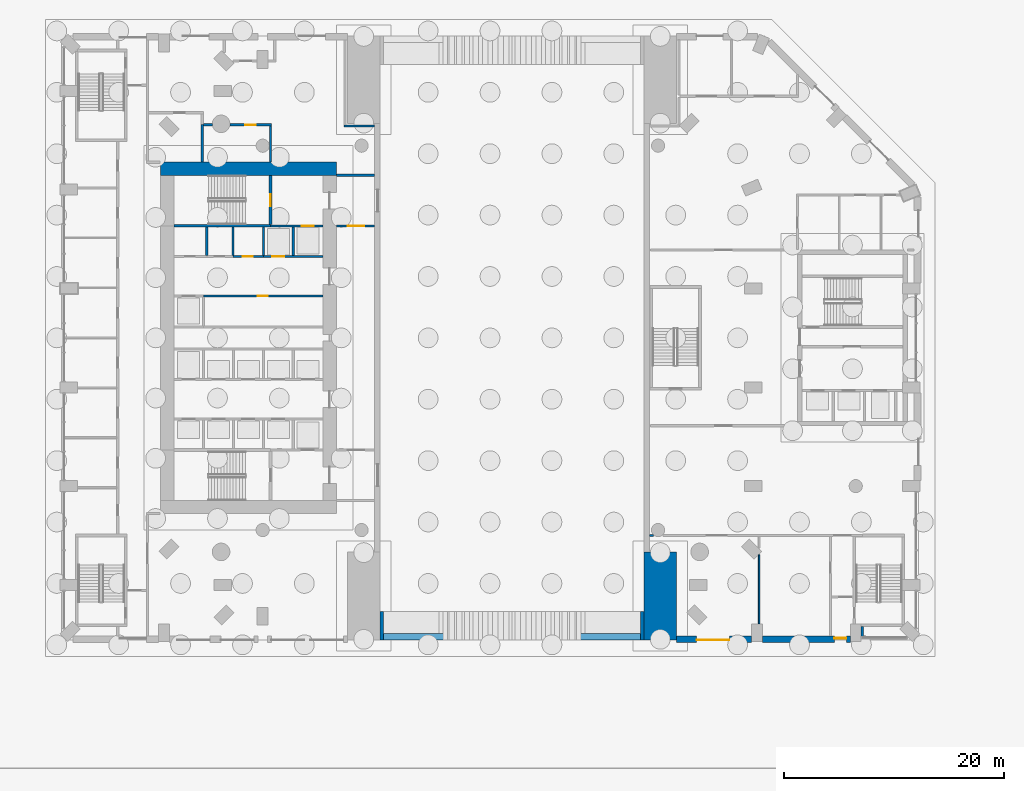
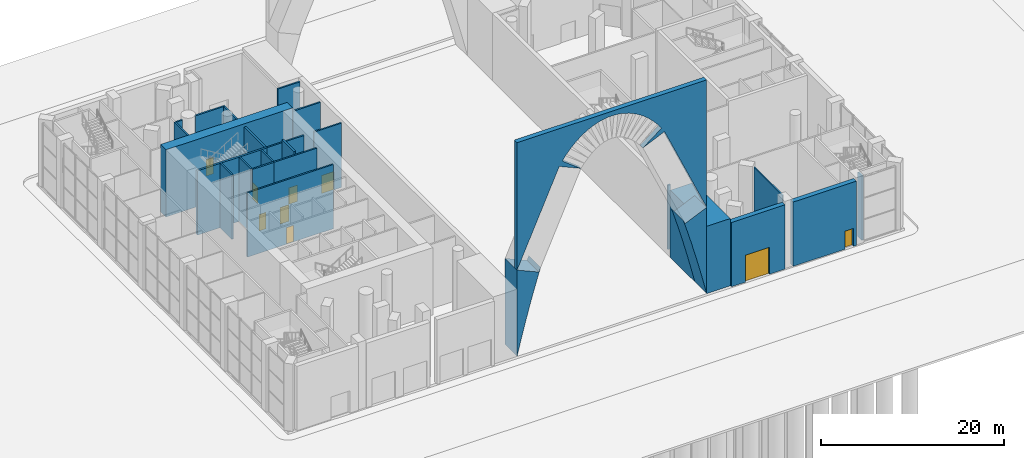
# One storey, part 11 of 25: 27 walls, 9 doors, 9 openings.
"""IFC4 building model written with IfcOpenShell, lengths in metres."""

from ifc_helpers import new_model, si_unit, direction, frame, frame_2d, origin, place, context, subcontext, project, spatial, polyline, rectangle, outline, extrude, material, layer, layer_set, type_object, element, fill, save


model = new_model("IFC4")

# Units and contexts
model_context = context("Model", 3, precision=1e-05, world=origin(), true_north=direction((0.0, 1.0)))
body_context = subcontext(model_context, "Body", "Model", "MODEL_VIEW")
ifc_project = project(units=[si_unit("LENGTHUNIT", "METRE"), si_unit("AREAUNIT", "SQUARE_METRE"), si_unit("VOLUMEUNIT", "CUBIC_METRE"), si_unit("PLANEANGLEUNIT", "RADIAN"), si_unit("MASSUNIT", "GRAM", prefix="KILO")], contexts=[model_context])

# Site, building, storey
site_placement = place(None, origin())
site = spatial("IfcSite", under=ifc_project, at=site_placement, CompositionType="ELEMENT")
building_placement = place(site_placement, origin())
building = spatial("IfcBuilding", under=site, at=building_placement, Name="Cypress Arch Tower", CompositionType="ELEMENT")
storey_placement = place(building_placement, origin())
storey = spatial("IfcBuildingStorey", under=building, at=storey_placement, Name="L00", CompositionType="ELEMENT", Elevation=0.0)

# Walls
ifc_material_1 = material(Name="Concrete C40/50", Category="concrete")
ifc_layer_1 = layer(ifc_material_1, 0.60009765625)
ifc_layer_set_1 = layer_set([ifc_layer_1], Name="Arch spandrel wall 600 Concrete C40/50")
wall_type_1 = type_object("IfcWallType", Name="Arch spandrel wall 600 Concrete C40/50", PredefinedType="SOLIDWALL", material=ifc_layer_set_1)
wall_1_placement = place(storey_placement, frame((-10.0, -27.199951171875, 0.0), z_axis=(0.0, 0.0, 1.0), x_axis=(1.0, 0.0, 0.0)))
element("IfcWall", 1, at=wall_1_placement, inside=storey, type_object=wall_type_1, Name="Gate arch spandrel wall S", PredefinedType="SOLIDWALL", context=body_context, shape_type="SweptSolid", body=[
    extrude(outline(polyline([(24.0, 11.55322265625), (18.6611328125, 23.54345703125), (15.9189453125, 22.32568359375), (18.263916015625, 24.130859375), (17.8818359375, 24.696044921875), (17.248046875, 25.42236328125), (16.574951171875, 26.079345703125), (16.34521484375, 26.27783203125), (15.850341796875, 26.6640625), (15.061279296875, 27.167236328125), (14.19775390625, 27.572509765625), (13.2587890625, 27.853759765625), (12.75732421875, 27.93994140625), (12.26171875, 27.98291015625), (11.73828125, 27.98291015625), (11.24267578125, 27.93994140625), (10.7412109375, 27.853759765625), (9.80224609375, 27.572509765625), (8.938720703125, 27.167236328125), (8.149658203125, 26.6640625), (7.65478515625, 26.27783203125), (7.425048828125, 26.079345703125), (6.751953125, 25.42236328125), (6.1181640625, 24.696044921875), (5.736083984375, 24.130859375), (8.0810546875, 22.32568359375), (5.3388671875, 23.54345703125), (0.0, 11.55322265625), (0.0, 28.60009765625), (24.0, 28.60009765625), (24.0, 11.55322265625)])), frame((0.0, 0.300048828125, 0.0), z_axis=(0.0, -1.0, 0.0), x_axis=(1.0, 0.0, 0.0)), (0.0, 0.0, 1.0), 0.60009765625),
])
ifc_material_2 = material(Name="Concrete C80/95", Category="concrete")
ifc_layer_2 = layer(ifc_material_2, 2.60009765625)
ifc_layer_set_2 = layer_set([ifc_layer_2], Name="Arch springer wall 2600 Concrete C80/95")
wall_type_2 = type_object("IfcWallType", Name="Arch springer wall 2600 Concrete C80/95", PredefinedType="SOLIDWALL", material=ifc_layer_set_2)
wall_2_placement = place(storey_placement, frame((-10.0, -26.199951171875, 0.0), z_axis=(0.0, 0.0, 1.0), x_axis=(1.0, 0.0, 0.0)))
element("IfcWall", 2, at=wall_2_placement, inside=storey, type_object=wall_type_2, Name="Gate arch springer wall SW", PredefinedType="SOLIDWALL", context=body_context, shape_type="SweptSolid", body=[
    extrude(outline(polyline([(2.5, 9.33154296875), (2.0, 7.638916015625), (1.5, 5.859375), (1.0, 3.9931640625), (0.5, 2.0400390625), (0.0, 0.0), (0.0, 11.55322265625), (2.740478515625, 10.3330078125), (2.977294921875, 10.864501953125), (2.5, 9.33154296875)])), frame((0.0, 1.300048828125, 0.0), z_axis=(0.0, -1.0, 0.0), x_axis=(1.0, 0.0, 0.0)), (0.0, 0.0, 1.0), 2.60009765625),
])
wall_3_placement = place(storey_placement, frame((-10.0, -26.199951171875, 0.0), z_axis=(0.0, 0.0, 1.0), x_axis=(1.0, 0.0, 0.0)))
element("IfcWall", 3, at=wall_3_placement, inside=storey, type_object=wall_type_2, Name="Gate arch springer wall SE", PredefinedType="SOLIDWALL", context=body_context, shape_type="SweptSolid", body=[
    extrude(outline(polyline([(24.0, 0.0), (23.5, 2.0400390625), (23.0, 3.9931640625), (22.5, 5.859375), (22.0, 7.638916015625), (21.5, 9.33154296875), (21.022705078125, 10.864501953125), (21.259521484375, 10.3330078125), (24.0, 11.55322265625), (24.0, 0.0)])), frame((0.0, 1.300048828125, 0.0), z_axis=(0.0, -1.0, 0.0), x_axis=(1.0, 0.0, 0.0)), (0.0, 0.0, 1.0), 2.60009765625),
])

# Wall, opening, door
ifc_material_3 = material(Name="Brick (red buff blend) on blockwork backing", Category="masonry")
ifc_layer_3 = layer(ifc_material_3, 0.60009765625)
ifc_layer_set_3 = layer_set([ifc_layer_3], Name="Brick base wall BW600")
wall_type_3 = type_object("IfcWallType", Name="Brick base wall BW600", PredefinedType="ELEMENTEDWALL", material=ifc_layer_set_3)
wall_4_placement = place(storey_placement, frame((17.0, -27.425048828125, 0.0), z_axis=(0.0, 0.0, 1.0), x_axis=(1.0, 0.0, 0.0)))
wall_4 = element("IfcWall", 4, at=wall_4_placement, inside=storey, type_object=wall_type_3, Name="Brick wall L00 P00.2p1", PredefinedType="ELEMENTEDWALL", context=body_context, shape_type="SweptSolid", body=[
    extrude(rectangle(XDim=6.800048828125, YDim=0.60009765625, at=frame_2d((3.39990234375, 0.0))), origin(), (0.0, 0.0, 1.0), 8.60009765625),
])
opening_1_placement = place(wall_4_placement, frame((1.800048828125, 0.0, 0.0)))
opening_1 = element("IfcOpeningElement", 5, at=opening_1_placement, cuts=wall_4, Name="Opening DL3000", PredefinedType="OPENING", context=body_context, shape_type="SweptSolid", body=[
    extrude(rectangle(XDim=3.0, YDim=3.60009765625, at=frame_2d((1.5, 1.800048828125))), frame((0.0, 0.31005859375, 0.0), z_axis=(0.0, -1.0, 0.0), x_axis=(1.0, 0.0, 0.0)), (0.0, 0.0, 1.0), 0.6201171875),
])
ifc_material_4 = material(Name="Insulated steel sectional door, powder coated", Category="steel")
door_type_1 = type_object("IfcDoorType", Name="Loading dock door sectional 3000x3600", OperationType="ROLLINGUP", PredefinedType="DOOR", material=ifc_material_4)
door_1_placement = place(opening_1_placement, origin())
door_1 = element("IfcDoor", 6, at=door_1_placement, inside=storey, type_object=door_type_1, Name="Exterior door L00 P00.2p1.1", OperationType="ROLLINGUP", OverallHeight=3.60009765625, OverallWidth=3.0, PredefinedType="DOOR", context=body_context, shape_type="SweptSolid", body=[
    extrude(rectangle(XDim=3.0, YDim=3.60009765625, at=frame_2d((1.5, 1.800048828125))), frame((0.0, -0.0498046875, 0.0), z_axis=(0.0, -1.0, 0.0), x_axis=(1.0, 0.0, 0.0)), (0.0, 0.0, 1.0), 0.050048828125),
])
fill(opening_1, door_1)

wall_5_placement = place(storey_placement, frame((32.800048828125, -27.425048828125, 0.0), z_axis=(0.0, 0.0, 1.0), x_axis=(-1.0, 0.0, 0.0)))
wall_5 = element("IfcWall", 7, at=wall_5_placement, inside=storey, type_object=wall_type_3, Name="Brick wall L00 P00.3", PredefinedType="ELEMENTEDWALL", context=body_context, shape_type="SweptSolid", body=[
    extrude(rectangle(XDim=8.0, YDim=0.60009765625, at=frame_2d((4.0, 0.0))), origin(), (0.0, 0.0, 1.0), 8.60009765625),
])
opening_2_placement = place(wall_5_placement, frame((0.35009765625, 0.0, 0.0)))
opening_2 = element("IfcOpeningElement", 8, at=opening_2_placement, cuts=wall_5, Name="Opening DX1100", PredefinedType="OPENING", context=body_context, shape_type="SweptSolid", body=[
    extrude(rectangle(XDim=1.10009765625, YDim=2.39990234375, at=frame_2d((0.550048828125, 1.199951171875))), frame((0.0, 0.31005859375, 0.0), z_axis=(0.0, -1.0, 0.0), x_axis=(1.0, 0.0, 0.0)), (0.0, 0.0, 1.0), 0.6201171875),
])
ifc_material_5 = material(Name="Steel, powder coated, glazed vision panel", Category="steel")
door_type_2 = type_object("IfcDoorType", Name="Exit door single 1100x2400", OperationType="SINGLE_SWING_LEFT", PredefinedType="DOOR", material=ifc_material_5)
door_2_placement = place(opening_2_placement, origin())
door_2 = element("IfcDoor", 9, at=door_2_placement, inside=storey, type_object=door_type_2, Name="Exterior door L00 P00.3.1", OperationType="SINGLE_SWING_LEFT", OverallHeight=2.39990234375, OverallWidth=1.10009765625, PredefinedType="DOOR", context=body_context, shape_type="SweptSolid", body=[
    extrude(rectangle(XDim=1.10009765625, YDim=2.39990234375, at=frame_2d((0.550048828125, 1.199951171875))), frame((0.0, -0.0498046875, 0.0), z_axis=(0.0, -1.0, 0.0), x_axis=(1.0, 0.0, 0.0)), (0.0, 0.0, 1.0), 0.050048828125),
])
fill(opening_2, door_2)

# Wall
ifc_material_6 = material(Name="Concrete C80/95", Category="concrete")
ifc_layer_4 = layer(ifc_material_6, 1.199951171875)
ifc_layer_set_4 = layer_set([ifc_layer_4], Name="Core wall CW1200 C80/95")
wall_type_4 = type_object("IfcWallType", Name="Core wall CW1200 C80/95", PredefinedType="SHEAR", material=ifc_layer_set_4)
wall_6_placement = place(storey_placement, frame((-30.0, 15.39990234375, 0.0), z_axis=(0.0, 0.0, 1.0), x_axis=(1.0, 0.0, 0.0)))
element("IfcWall", 10, at=wall_6_placement, inside=storey, type_object=wall_type_4, Name="Core wall", PredefinedType="SHEAR", context=body_context, shape_type="SweptSolid", body=[
    extrude(rectangle(XDim=16.0, YDim=1.199951171875, at=frame_2d((8.0, 0.0))), origin(), (0.0, 0.0, 1.0), 9.0),
])

# Wall, opening, door
ifc_material_7 = material(Name="Concrete blockwork, plastered, rated", Category="masonry")
ifc_layer_5 = layer(ifc_material_7, 0.199951171875)
ifc_layer_set_5 = layer_set([ifc_layer_5], Name="Corridor wall FW200")
wall_type_5 = type_object("IfcWallType", Name="Corridor wall FW200", PredefinedType="PARTITIONING", material=ifc_layer_set_5)
wall_7_placement = place(storey_placement, frame((-23.419921875, 7.39990234375, 0.0), z_axis=(0.0, 0.0, 1.0), x_axis=(1.0, 0.0, 0.0)))
wall_7 = element("IfcWall", 11, at=wall_7_placement, inside=storey, type_object=wall_type_5, Name="Corridor wall", PredefinedType="PARTITIONING", context=body_context, shape_type="SweptSolid", body=[
    extrude(rectangle(XDim=2.780029296875, YDim=0.199951171875, at=frame_2d((1.39013671875, 0.0))), origin(), (0.0, 0.0, 1.0), 8.597900390625),
])
opening_3_placement = place(wall_7_placement, frame((0.89990234375, 0.0, 0.0)))
opening_3 = element("IfcOpeningElement", 12, at=opening_3_placement, cuts=wall_7, Name="Opening D05", PredefinedType="OPENING", context=body_context, shape_type="SweptSolid", body=[
    extrude(rectangle(XDim=0.89990234375, YDim=2.199951171875, at=frame_2d((0.449951171875, 1.10009765625))), frame((0.0, 0.10986328125, 0.0), z_axis=(0.0, -1.0, 0.0), x_axis=(1.0, 0.0, 0.0)), (0.0, 0.0, 1.0), 0.219970703125),
])
ifc_material_8 = material(Name="Timber flush door", Category="wood")
door_type_3 = type_object("IfcDoorType", Name="Service door D05 900x2200", OperationType="SINGLE_SWING_LEFT", PredefinedType="DOOR", material=ifc_material_8)
door_3_placement = place(opening_3_placement, origin())
door_3 = element("IfcDoor", 13, at=door_3_placement, inside=storey, type_object=door_type_3, Name="Service door", OperationType="SINGLE_SWING_LEFT", OverallHeight=2.199951171875, OverallWidth=0.89990234375, PredefinedType="DOOR", context=body_context, shape_type="SweptSolid", body=[
    extrude(rectangle(XDim=0.89990234375, YDim=2.199951171875, at=frame_2d((0.449951171875, 1.10009765625))), frame((0.0, 0.02490234375, 0.0), z_axis=(0.0, -1.0, 0.0), x_axis=(1.0, 0.0, 0.0)), (0.0, 0.0, 1.0), 0.050048828125),
])
fill(opening_3, door_3)

wall_8_placement = place(storey_placement, frame((-13.969970703125, 10.199951171875, 0.0), z_axis=(0.0, 0.0, 1.0), x_axis=(1.0, 0.0, 0.0)))
wall_8 = element("IfcWall", 14, at=wall_8_placement, inside=storey, type_object=wall_type_5, Name="Corridor wall", PredefinedType="PARTITIONING", context=body_context, shape_type="SweptSolid", body=[
    extrude(rectangle(XDim=3.469970703125, YDim=0.199951171875, at=frame_2d((1.73486328125, 0.0))), origin(), (0.0, 0.0, 1.0), 8.597900390625),
])
opening_4_placement = place(wall_8_placement, frame((1.0, 0.0, 0.0)))
opening_4 = element("IfcOpeningElement", 15, at=opening_4_placement, cuts=wall_8, Name="Opening D07", PredefinedType="OPENING", context=body_context, shape_type="SweptSolid", body=[
    extrude(rectangle(XDim=1.5, YDim=2.39990234375, at=frame_2d((0.75, 1.199951171875))), frame((0.0, 0.10986328125, 0.0), z_axis=(0.0, -1.0, 0.0), x_axis=(1.0, 0.0, 0.0)), (0.0, 0.0, 1.0), 0.219970703125),
])
ifc_material_9 = material(Name="Steel framed glazed door, fire resisting", Category="steel")
door_type_4 = type_object("IfcDoorType", Name="Lobby door D07 1500x2400", OperationType="DOUBLE_DOOR_SINGLE_SWING", PredefinedType="DOOR", material=ifc_material_9)
door_4_placement = place(opening_4_placement, origin())
door_4 = element("IfcDoor", 16, at=door_4_placement, inside=storey, type_object=door_type_4, Name="Lobby door", OperationType="DOUBLE_DOOR_SINGLE_SWING", OverallHeight=2.39990234375, OverallWidth=1.5, PredefinedType="DOOR", context=body_context, shape_type="SweptSolid", body=[
    extrude(rectangle(XDim=1.5, YDim=2.39990234375, at=frame_2d((0.75, 1.199951171875))), frame((0.0, 0.02490234375, 0.0), z_axis=(0.0, -1.0, 0.0), x_axis=(1.0, 0.0, 0.0)), (0.0, 0.0, 1.0), 0.050048828125),
])
fill(opening_4, door_4)

# Walls
wall_9_placement = place(storey_placement, frame((-13.969970703125, 14.800048828125, 0.0), z_axis=(0.0, 0.0, 1.0), x_axis=(1.0, 0.0, 0.0)))
element("IfcWall", 17, at=wall_9_placement, inside=storey, type_object=wall_type_5, Name="Corridor wall", PredefinedType="PARTITIONING", context=body_context, shape_type="SweptSolid", body=[
    extrude(rectangle(XDim=3.469970703125, YDim=0.199951171875, at=frame_2d((1.73486328125, 0.0))), origin(), (0.0, 0.0, 1.0), 8.597900390625),
])
wall_10_placement = place(storey_placement, frame((-13.299072265625, 19.300048828125, 0.0), z_axis=(0.0, 0.0, 1.0), x_axis=(1.0, 0.0, 0.0)))
element("IfcWall", 18, at=wall_10_placement, inside=storey, type_object=wall_type_5, Name="Corridor wall", PredefinedType="PARTITIONING", context=body_context, shape_type="SweptSolid", body=[
    extrude(rectangle(XDim=2.799072265625, YDim=0.199951171875, at=frame_2d((1.3994140625, 0.0))), origin(), (0.0, 0.0, 1.0), 8.597900390625),
])
wall_11_placement = place(storey_placement, frame((14.5, -18.0048828125, 0.0), z_axis=(0.0, 0.0, 1.0), x_axis=(1.0, 0.0, 0.0)))
element("IfcWall", 19, at=wall_11_placement, inside=storey, type_object=wall_type_5, Name="Corridor wall", PredefinedType="PARTITIONING", context=body_context, shape_type="SweptSolid", body=[
    extrude(rectangle(XDim=0.3681640625, YDim=0.199951171875, at=frame_2d((0.18408203125, 0.0))), origin(), (0.0, 0.0, 1.0), 8.597900390625),
])
wall_12_placement = place(storey_placement, frame((33.89990234375, -27.199951171875, 0.0), z_axis=(0.0, 0.0, 1.0), x_axis=(0.0, 1.0, 0.0)))
element("IfcWall", 20, at=wall_12_placement, inside=storey, type_object=wall_type_5, Name="Corridor wall", PredefinedType="PARTITIONING", context=body_context, shape_type="SweptSolid", body=[
    extrude(rectangle(XDim=0.89990234375, YDim=0.199951171875, at=frame_2d((0.449951171875, 0.0))), origin(), (0.0, 0.0, 1.0), 8.597900390625),
])
ifc_material_10 = material(Name="Blockwork, plastered both sides", Category="masonry")
ifc_layer_6 = layer(ifc_material_10, 0.14990234375)
ifc_layer_set_6 = layer_set([ifc_layer_6], Name="Partition PW150")
wall_type_6 = type_object("IfcWallType", Name="Partition PW150", PredefinedType="PARTITIONING", material=ifc_layer_set_6)
wall_13_placement = place(storey_placement, frame((24.5, -26.050048828125, 0.0), z_axis=(0.0, 0.0, 1.0), x_axis=(0.0, 1.0, 0.0)))
element("IfcWall", 21, at=wall_13_placement, inside=storey, type_object=wall_type_6, Name="Partition", PredefinedType="PARTITIONING", context=body_context, shape_type="SweptSolid", body=[
    extrude(rectangle(XDim=6.297119140625, YDim=0.14990234375, at=frame_2d((3.1484375, 0.0))), origin(), (0.0, 0.0, 1.0), 8.597900390625),
])
ifc_material_11 = material(Name="Concrete C80/95", Category="concrete")
ifc_layer_7 = layer(ifc_material_11, 3.0)
ifc_layer_set_7 = layer_set([ifc_layer_7], Name="Pier wall 3000 Concrete C80/95")
wall_type_7 = type_object("IfcWallType", Name="Pier wall 3000 Concrete C80/95", PredefinedType="SOLIDWALL", material=ifc_layer_set_7)
wall_14_placement = place(storey_placement, frame((15.5, -27.5, 0.0), z_axis=(0.0, 0.0, 1.0), x_axis=(0.0, 1.0, 0.0)))
element("IfcWall", 22, at=wall_14_placement, inside=storey, type_object=wall_type_7, Name="Gate pier wall PW-ES L00", PredefinedType="SOLIDWALL", context=body_context, shape_type="SweptSolid", body=[
    extrude(rectangle(XDim=8.0, YDim=3.0, at=frame_2d((4.0, 0.0))), origin(), (0.0, 0.0, 1.0), 9.0),
])
ifc_material_12 = material(Name="Reinforced blockwork, plastered, rated", Category="masonry")
ifc_layer_8 = layer(ifc_material_12, 0.199951171875)
ifc_layer_set_8 = layer_set([ifc_layer_8], Name="Plant and riser wall PL200")
wall_type_8 = type_object("IfcWallType", Name="Plant and riser wall PL200", PredefinedType="PARTITIONING", material=ifc_layer_set_8)
wall_15_placement = place(storey_placement, frame((-26.199951171875, 16.030029296875, 0.0), z_axis=(0.0, 0.0, 1.0), x_axis=(0.0, 1.0, 0.0)))
element("IfcWall", 23, at=wall_15_placement, inside=storey, type_object=wall_type_8, Name="Plant and riser wall", PredefinedType="PARTITIONING", context=body_context, shape_type="SweptSolid", body=[
    extrude(rectangle(XDim=3.389892578125, YDim=0.199951171875, at=frame_2d((1.69482421875, 0.0))), origin(), (0.0, 0.0, 1.0), 8.597900390625),
])
wall_16_placement = place(storey_placement, frame((-26.10009765625, 19.39990234375, 0.0), z_axis=(0.0, 0.0, 1.0), x_axis=(1.0, 0.0, 0.0)))
element("IfcWall", 24, at=wall_16_placement, inside=storey, type_object=wall_type_8, Name="Plant and riser wall", PredefinedType="PARTITIONING", context=body_context, shape_type="SweptSolid", body=[
    extrude(rectangle(XDim=0.810791015625, YDim=0.199951171875, at=frame_2d((0.4052734375, 0.0))), origin(), (0.0, 0.0, 1.0), 8.597900390625),
])

# Wall, opening, door
wall_17_placement = place(storey_placement, frame((-23.6865234375, 19.39990234375, 0.0), z_axis=(0.0, 0.0, 1.0), x_axis=(1.0, 0.0, 0.0)))
wall_17 = element("IfcWall", 25, at=wall_17_placement, inside=storey, type_object=wall_type_8, Name="Plant and riser wall", PredefinedType="PARTITIONING", context=body_context, shape_type="SweptSolid", body=[
    extrude(rectangle(XDim=3.78662109375, YDim=0.199951171875, at=frame_2d((1.893310546875, 0.0))), origin(), (0.0, 0.0, 1.0), 8.597900390625),
])
opening_5_placement = place(wall_17_placement, frame((1.39990234375, 0.0, 0.0)))
opening_5 = element("IfcOpeningElement", 26, at=opening_5_placement, cuts=wall_17, Name="Opening D13", PredefinedType="OPENING", context=body_context, shape_type="SweptSolid", body=[
    extrude(rectangle(XDim=0.949951171875, YDim=2.199951171875, at=frame_2d((0.47509765625, 1.10009765625))), frame((0.0, 0.10986328125, 0.0), z_axis=(0.0, -1.0, 0.0), x_axis=(1.0, 0.0, 0.0)), (0.0, 0.0, 1.0), 0.219970703125),
])
ifc_material_13 = material(Name="Timber flush door, fire resisting", Category="wood")
door_type_5 = type_object("IfcDoorType", Name="Room door D13 950x2200", OperationType="SINGLE_SWING_LEFT", PredefinedType="DOOR", material=ifc_material_13)
door_5_placement = place(opening_5_placement, origin())
door_5 = element("IfcDoor", 27, at=door_5_placement, inside=storey, type_object=door_type_5, Name="Room door", OperationType="SINGLE_SWING_LEFT", OverallHeight=2.199951171875, OverallWidth=0.949951171875, PredefinedType="DOOR", context=body_context, shape_type="SweptSolid", body=[
    extrude(rectangle(XDim=0.949951171875, YDim=2.199951171875, at=frame_2d((0.47509765625, 1.10009765625))), frame((0.0, 0.02490234375, 0.0), z_axis=(0.0, -1.0, 0.0), x_axis=(1.0, 0.0, 0.0)), (0.0, 0.0, 1.0), 0.050048828125),
])
fill(opening_5, door_5)

wall_18_placement = place(storey_placement, frame((-26.10009765625, 3.800048828125, 0.0), z_axis=(0.0, 0.0, 1.0), x_axis=(1.0, 0.0, 0.0)))
wall_18 = element("IfcWall", 28, at=wall_18_placement, inside=storey, type_object=wall_type_8, Name="Plant and riser wall", PredefinedType="PARTITIONING", context=body_context, shape_type="SweptSolid", body=[
    extrude(rectangle(XDim=10.8701171875, YDim=0.199951171875, at=frame_2d((5.43505859375, 0.0))), origin(), (0.0, 0.0, 1.0), 8.597900390625),
])
opening_6_placement = place(wall_18_placement, frame((4.949951171875, 0.0, 0.0)))
opening_6 = element("IfcOpeningElement", 29, at=opening_6_placement, cuts=wall_18, Name="Opening D05", PredefinedType="OPENING", context=body_context, shape_type="SweptSolid", body=[
    extrude(rectangle(XDim=0.89990234375, YDim=2.199951171875, at=frame_2d((0.449951171875, 1.10009765625))), frame((0.0, 0.10986328125, 0.0), z_axis=(0.0, -1.0, 0.0), x_axis=(1.0, 0.0, 0.0)), (0.0, 0.0, 1.0), 0.219970703125),
])
door_6_placement = place(opening_6_placement, origin())
door_6 = element("IfcDoor", 30, at=door_6_placement, inside=storey, type_object=door_type_3, Name="Service door", OperationType="SINGLE_SWING_RIGHT", OverallHeight=2.199951171875, OverallWidth=0.89990234375, PredefinedType="DOOR", context=body_context, shape_type="SweptSolid", body=[
    extrude(rectangle(XDim=0.89990234375, YDim=2.199951171875, at=frame_2d((0.449951171875, 1.10009765625))), frame((0.0, 0.02490234375, 0.0), z_axis=(0.0, -1.0, 0.0), x_axis=(1.0, 0.0, 0.0)), (0.0, 0.0, 1.0), 0.050048828125),
])
fill(opening_6, door_6)

# Walls
for number, where, z_axis, x_axis, name in (
    (31, (-25.800048828125, 7.5, 0.0), (0.0, 0.0, 1.0), (0.0, 1.0, 0.0), "Plant and riser wall"),
    (32, (-23.39990234375, 7.5, 0.0), (0.0, 0.0, 1.0), (0.0, 1.0, 0.0), "Plant and riser wall"),
):
    element("IfcWall", number, at=place(storey_placement, frame(where, z_axis=z_axis, x_axis=x_axis)), inside=storey, type_object=wall_type_8, Name=name, PredefinedType="PARTITIONING", context=body_context, shape_type="SweptSolid", body=[
        extrude(rectangle(XDim=2.574951171875, YDim=0.199951171875, at=frame_2d((1.28759765625, 0.0))), origin(), (0.0, 0.0, 1.0), 8.597900390625),
    ])
wall_19_placement = place(storey_placement, frame((-20.0, 16.030029296875, 0.0), z_axis=(0.0, 0.0, 1.0), x_axis=(0.0, 1.0, 0.0)))
element("IfcWall", 33, at=wall_19_placement, inside=storey, type_object=wall_type_8, Name="Plant and riser wall", PredefinedType="PARTITIONING", context=body_context, shape_type="SweptSolid", body=[
    extrude(rectangle(XDim=3.27001953125, YDim=0.199951171875, at=frame_2d((1.635009765625, 0.0))), origin(), (0.0, 0.0, 1.0), 8.597900390625),
])
ifc_material_14 = material(Name="Concrete C50/60", Category="concrete")
ifc_layer_9 = layer(ifc_material_14, 0.199951171875)
ifc_layer_set_9 = layer_set([ifc_layer_9], Name="Shaft wall SH200")
wall_type_9 = type_object("IfcWallType", Name="Shaft wall SH200", PredefinedType="SHEAR", material=ifc_layer_set_9)
wall_20_placement = place(storey_placement, frame((-20.639892578125, 7.5, 0.0), z_axis=(0.0, 0.0, 1.0), x_axis=(0.0, 1.0, 0.0)))
element("IfcWall", 34, at=wall_20_placement, inside=storey, type_object=wall_type_9, Name="Shaft wall", PredefinedType="SHEAR", context=body_context, shape_type="SweptSolid", body=[
    extrude(rectangle(XDim=2.574951171875, YDim=0.199951171875, at=frame_2d((1.28759765625, 0.0))), origin(), (0.0, 0.0, 1.0), 8.597900390625),
])

# Wall, opening, door
wall_21_placement = place(storey_placement, frame((-20.639892578125, 7.39990234375, 0.0), z_axis=(0.0, 0.0, 1.0), x_axis=(1.0, 0.0, 0.0)))
wall_21 = element("IfcWall", 35, at=wall_21_placement, inside=storey, type_object=wall_type_9, Name="Shaft wall", PredefinedType="SHEAR", context=body_context, shape_type="SweptSolid", body=[
    extrude(rectangle(XDim=5.409912109375, YDim=0.199951171875, at=frame_2d((2.705078125, 0.0))), origin(), (0.0, 0.0, 1.0), 8.597900390625),
])
opening_7_placement = place(wall_21_placement, frame((0.800048828125, 0.0, 0.0)))
opening_7 = element("IfcOpeningElement", 36, at=opening_7_placement, cuts=wall_21, Name="Opening LD-SH3", PredefinedType="OPENING", context=body_context, shape_type="SweptSolid", body=[
    extrude(rectangle(XDim=1.10009765625, YDim=2.199951171875, at=frame_2d((0.550048828125, 1.10009765625))), frame((0.0, 0.10986328125, 0.0), z_axis=(0.0, -1.0, 0.0), x_axis=(1.0, 0.0, 0.0)), (0.0, 0.0, 1.0), 0.219970703125),
])
ifc_material_15 = material(Name="Stainless steel centre-opening landing door, rated", Category="steel")
door_type_6 = type_object("IfcDoorType", Name="Lift landing door LD 1100x2200", OperationType="DOUBLE_DOOR_SLIDING", PredefinedType="DOOR", material=ifc_material_15)
door_7_placement = place(opening_7_placement, origin())
door_7 = element("IfcDoor", 37, at=door_7_placement, inside=storey, type_object=door_type_6, Name="Lift landing doors SH3", OperationType="DOUBLE_DOOR_SLIDING", OverallHeight=2.199951171875, OverallWidth=1.10009765625, PredefinedType="DOOR", context=body_context, shape_type="SweptSolid", body=[
    extrude(rectangle(XDim=1.10009765625, YDim=2.199951171875, at=frame_2d((0.550048828125, 1.10009765625))), frame((0.0, 0.02490234375, 0.0), z_axis=(0.0, -1.0, 0.0), x_axis=(1.0, 0.0, 0.0)), (0.0, 0.0, 1.0), 0.050048828125),
])
fill(opening_7, door_7)

wall_22_placement = place(storey_placement, frame((-19.97998046875, 10.199951171875, 0.0), z_axis=(0.0, 0.0, 1.0), x_axis=(1.0, 0.0, 0.0)))
wall_22 = element("IfcWall", 38, at=wall_22_placement, inside=storey, type_object=wall_type_9, Name="Shaft wall", PredefinedType="SHEAR", context=body_context, shape_type="SweptSolid", body=[
    extrude(rectangle(XDim=4.75, YDim=0.199951171875, at=frame_2d((2.375, 0.0))), origin(), (0.0, 0.0, 1.0), 8.597900390625),
])
opening_8_placement = place(wall_22_placement, frame((2.85009765625, 0.0, 0.0)))
opening_8 = element("IfcOpeningElement", 39, at=opening_8_placement, cuts=wall_22, Name="Opening LD-FL2", PredefinedType="OPENING", context=body_context, shape_type="SweptSolid", body=[
    extrude(rectangle(XDim=1.10009765625, YDim=2.199951171875, at=frame_2d((0.550048828125, 1.10009765625))), frame((0.0, 0.10986328125, 0.0), z_axis=(0.0, -1.0, 0.0), x_axis=(1.0, 0.0, 0.0)), (0.0, 0.0, 1.0), 0.219970703125),
])
door_8_placement = place(opening_8_placement, origin())
door_8 = element("IfcDoor", 40, at=door_8_placement, inside=storey, type_object=door_type_6, Name="Lift landing doors FL2", OperationType="DOUBLE_DOOR_SLIDING", OverallHeight=2.199951171875, OverallWidth=1.10009765625, PredefinedType="DOOR", context=body_context, shape_type="SweptSolid", body=[
    extrude(rectangle(XDim=1.10009765625, YDim=2.199951171875, at=frame_2d((0.550048828125, 1.10009765625))), frame((0.0, 0.02490234375, 0.0), z_axis=(0.0, -1.0, 0.0), x_axis=(1.0, 0.0, 0.0)), (0.0, 0.0, 1.0), 0.050048828125),
])
fill(opening_8, door_8)

# Walls
wall_23_placement = place(storey_placement, frame((-17.919921875, 7.5, 0.0), z_axis=(0.0, 0.0, 1.0), x_axis=(0.0, 1.0, 0.0)))
element("IfcWall", 41, at=wall_23_placement, inside=storey, type_object=wall_type_9, Name="Shaft wall", PredefinedType="SHEAR", context=body_context, shape_type="SweptSolid", body=[
    extrude(rectangle(XDim=2.60009765625, YDim=0.199951171875, at=frame_2d((1.300048828125, 0.0))), origin(), (0.0, 0.0, 1.0), 9.0),
])
ifc_material_16 = material(Name="Concrete C50/60", Category="concrete")
ifc_layer_10 = layer(ifc_material_16, 0.25)
ifc_layer_set_10 = layer_set([ifc_layer_10], Name="Stair enclosure wall SW250")
wall_type_10 = type_object("IfcWallType", Name="Stair enclosure wall SW250", PredefinedType="SHEAR", material=ifc_layer_set_10)
wall_24_placement = place(storey_placement, frame((-28.77001953125, 10.199951171875, 0.0), z_axis=(0.0, 0.0, 1.0), x_axis=(1.0, 0.0, 0.0)))
element("IfcWall", 42, at=wall_24_placement, inside=storey, type_object=wall_type_10, Name="Stair enclosure wall", PredefinedType="SHEAR", context=body_context, shape_type="SweptSolid", body=[
    extrude(rectangle(XDim=8.7900390625, YDim=0.25, at=frame_2d((4.39501953125, 0.0))), origin(), (0.0, 0.0, 1.0), 8.597900390625),
])

# Wall, opening, door
wall_25_placement = place(storey_placement, frame((-20.0, 10.324951171875, 0.0), z_axis=(0.0, 0.0, 1.0), x_axis=(0.0, 1.0, 0.0)))
wall_25 = element("IfcWall", 43, at=wall_25_placement, inside=storey, type_object=wall_type_10, Name="Stair enclosure wall", PredefinedType="SHEAR", context=body_context, shape_type="SweptSolid", body=[
    extrude(rectangle(XDim=4.445068359375, YDim=0.25, at=frame_2d((2.22265625, 0.0))), origin(), (0.0, 0.0, 1.0), 8.597900390625),
])
opening_9_placement = place(wall_25_placement, frame((1.64990234375, 0.0, 0.0)))
opening_9 = element("IfcOpeningElement", 44, at=opening_9_placement, cuts=wall_25, Name="Opening D06", PredefinedType="OPENING", context=body_context, shape_type="SweptSolid", body=[
    extrude(rectangle(XDim=1.10009765625, YDim=2.199951171875, at=frame_2d((0.550048828125, 1.10009765625))), frame((0.0, 0.135009765625, 0.0), z_axis=(0.0, -1.0, 0.0), x_axis=(1.0, 0.0, 0.0)), (0.0, 0.0, 1.0), 0.27001953125),
])
ifc_material_17 = material(Name="Steel door, fire resisting, panic bar", Category="steel")
door_type_7 = type_object("IfcDoorType", Name="Stair door D06 1100x2200", OperationType="SINGLE_SWING_LEFT", PredefinedType="DOOR", material=ifc_material_17)
door_9_placement = place(opening_9_placement, origin())
door_9 = element("IfcDoor", 45, at=door_9_placement, inside=storey, type_object=door_type_7, Name="Stair door", OperationType="SINGLE_SWING_RIGHT", OverallHeight=2.199951171875, OverallWidth=1.10009765625, PredefinedType="DOOR", context=body_context, shape_type="SweptSolid", body=[
    extrude(rectangle(XDim=1.10009765625, YDim=2.199951171875, at=frame_2d((0.550048828125, 1.10009765625))), frame((0.0, 0.02490234375, 0.0), z_axis=(0.0, -1.0, 0.0), x_axis=(1.0, 0.0, 0.0)), (0.0, 0.0, 1.0), 0.050048828125),
])
fill(opening_9, door_9)

save(model, "model.ifc")
